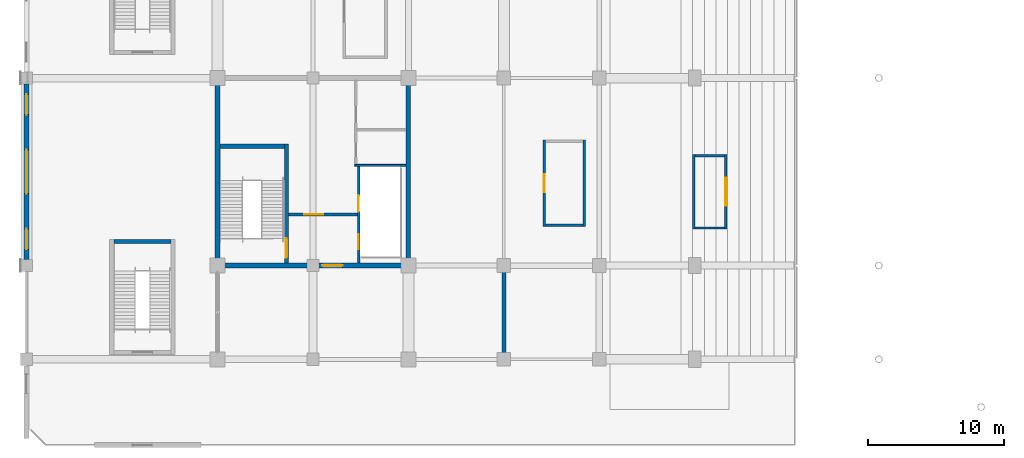
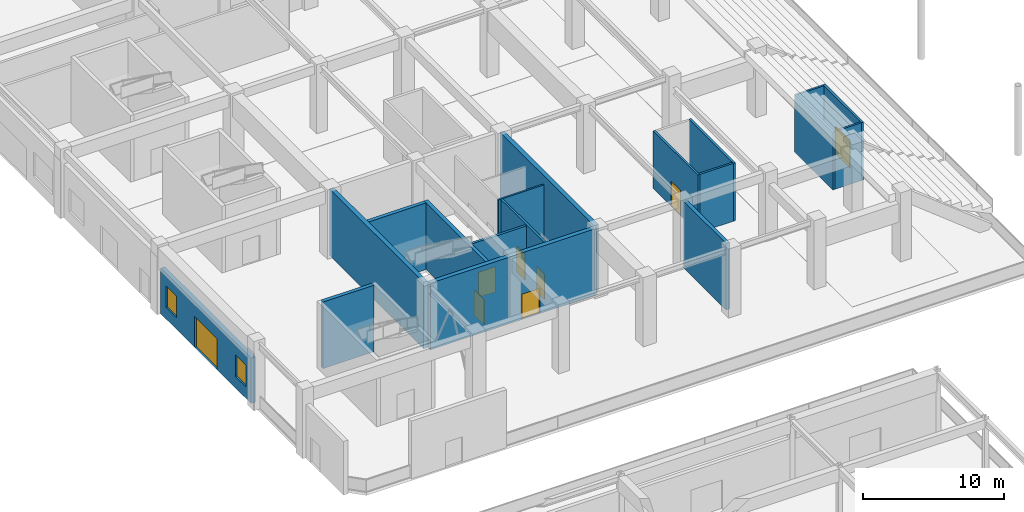
# One storey, part 38 of 73: 18 walls, 8 doors, 2 windows, 10 openings.
"""IFC4 building model written with IfcOpenShell, lengths in metres."""

import ifcopenshell
import ifcopenshell.guid

model = None  # the IFC model being written
_history = None  # IfcOwnerHistory: only IFC2X3 demands one
_inside = {}  # id of a spatial element -> (the spatial element, [elements in it])
_under = {}  # id of a project, library or spatial element -> (it, [spatial elements below it])
_declared = {}  # id of a project -> (the project, [libraries it declares])
_typed = {}  # id of a type object -> (the type object, [elements of that type])
_made_of = {}  # id of a material, layer set ... -> (it, [elements and type objects made of it])


def new_model(schema):
    """Start an empty IFC model of exactly this schema.

    Asked for "IFC4X3", IfcOpenShell would pick the latest addendum, in which some entities
    have other attributes; the version numbers below select the first issue.
    IFC2X3 requires an IfcOwnerHistory on every rooted entity: one is made here for all.
    """
    global model, _history
    if schema == "IFC4X3":
        model = ifcopenshell.file(schema_version=(4, 3, 0, 0))
    else:
        model = ifcopenshell.file(schema=schema)
    _inside.clear()
    _under.clear()
    _declared.clear()
    _typed.clear()
    _made_of.clear()
    _history = None
    if model.schema == "IFC2X3":
        org = make("IfcOrganization", Name="unknown")
        user = make(
            "IfcPersonAndOrganization",
            ThePerson=make("IfcPerson", FamilyName="unknown"),
            TheOrganization=org,
        )
        app = make(
            "IfcApplication",
            ApplicationDeveloper=org,
            Version="unknown",
            ApplicationFullName="unknown",
            ApplicationIdentifier="unknown",
        )
        _history = make(
            "IfcOwnerHistory",
            OwningUser=user,
            OwningApplication=app,
            ChangeAction="ADDED",
            CreationDate=0,
        )
    return model


def make(cls, **values):
    """One entity of the class cls with the attributes given. An attribute that is None is left unset."""
    return model.create_entity(
        cls, **{name: value for name, value in values.items() if value is not None}
    )


def rooted(cls, **values):
    """An entity with a GlobalId (a new one), such as an element, a storey or a relation."""
    return make(cls, GlobalId=ifcopenshell.guid.new(), OwnerHistory=_history, **values)


def si_unit(unit_type, name, prefix=None):
    """IfcSIUnit, for example si_unit("LENGTHUNIT", "METRE", prefix="MILLI")."""
    return make("IfcSIUnit", UnitType=unit_type, Prefix=prefix, Name=name)


def assignment(units):
    """IfcUnitAssignment: the units of a project."""
    return None if units is None else make("IfcUnitAssignment", Units=units)


def point(xyz):
    """IfcCartesianPoint."""
    return None if xyz is None else make("IfcCartesianPoint", Coordinates=xyz)


def direction(xyz):
    """IfcDirection."""
    return None if xyz is None else make("IfcDirection", DirectionRatios=xyz)


def frame(location, z_axis=None, x_axis=None):
    """IfcAxis2Placement3D, a coordinate frame: its origin and axes. An axis left out is left unset."""
    return make(
        "IfcAxis2Placement3D",
        Location=point(location),
        Axis=direction(z_axis),
        RefDirection=direction(x_axis),
    )


def frame_2d(location, x_axis=None):
    """IfcAxis2Placement2D, a coordinate frame in the plane: its origin and x axis."""
    return make(
        "IfcAxis2Placement2D", Location=point(location), RefDirection=direction(x_axis)
    )


def origin():
    """The frame at (0, 0, 0) with its axes left unset."""
    return frame((0.0, 0.0, 0.0))


def place(relative_to, where):
    """IfcLocalPlacement: puts the frame where relative to a parent placement (None: the world)."""
    return make(
        "IfcLocalPlacement", PlacementRelTo=relative_to, RelativePlacement=where
    )


def context(
    kind, dimensions, precision=None, world=None, true_north=None, identifier=None
):
    """IfcGeometricRepresentationContext, for example the 3D "Model" context."""
    return make(
        "IfcGeometricRepresentationContext",
        ContextIdentifier=identifier,
        ContextType=kind,
        CoordinateSpaceDimension=dimensions,
        Precision=precision,
        WorldCoordinateSystem=world,
        TrueNorth=true_north,
    )


def subcontext(parent, identifier, kind, view, scale=None):
    """IfcGeometricRepresentationSubContext, for example "Body" below "Model"."""
    return make(
        "IfcGeometricRepresentationSubContext",
        ContextIdentifier=identifier,
        ContextType=kind,
        ParentContext=parent,
        TargetScale=scale,
        TargetView=view,
    )


def project(units=None, contexts=None):
    """IfcProject with its units and contexts."""
    return rooted(
        "IfcProject",
        Name="project",
        RepresentationContexts=contexts,
        UnitsInContext=assignment(units),
    )


def spatial(cls, under=None, at=None, **own):
    """A site, building, storey or space (cls), placed at a placement, below another one or the project."""
    s = rooted(cls, ObjectPlacement=at, **own)
    if under is not None:
        _under.setdefault(under.id(), (under, []))[1].append(s)
    return s


def profile(cls, at=None, kind="AREA", **sizes):
    """A parametric profile (cls). Its sizes go by their IFC names, for example OverallWidth=200.0."""
    return make(cls, ProfileType=kind, Position=at, **sizes)


def rectangle(**sizes):
    """IfcRectangleProfileDef."""
    return profile("IfcRectangleProfileDef", **sizes)


def extrude(swept, where, along, depth):
    """IfcExtrudedAreaSolid: the profile swept, set in the frame where, extruded along a direction by depth."""
    return make(
        "IfcExtrudedAreaSolid",
        SweptArea=swept,
        Position=where,
        ExtrudedDirection=direction(along),
        Depth=depth,
    )


def shape(context_of_items, identifier, shape_type, items):
    """IfcShapeRepresentation: the items that make up one representation, for example the "Body"."""
    return make(
        "IfcShapeRepresentation",
        ContextOfItems=context_of_items,
        RepresentationIdentifier=identifier,
        RepresentationType=shape_type,
        Items=items,
    )


def material(Name=None, Category=None):
    """IfcMaterial."""
    return make("IfcMaterial", Name=Name, Category=Category)


def layer(
    of_material, thickness, ventilated=None, Name=None, Category=None, Priority=None
):
    """IfcMaterialLayer: one layer of a wall or slab, of a material (None: an air gap)."""
    return make(
        "IfcMaterialLayer",
        Material=of_material,
        LayerThickness=thickness,
        IsVentilated=ventilated,
        Name=Name,
        Category=Category,
        Priority=Priority,
    )


def layer_set(layers, Name=None):
    """IfcMaterialLayerSet."""
    return make("IfcMaterialLayerSet", MaterialLayers=layers, LayerSetName=Name)


def made_of(thing, what):
    """Note that an element or type object is made of a material, layer set ...; save() writes the relation."""
    if what is not None:
        _made_of.setdefault(what.id(), (what, []))[1].append(thing)
    return thing


def type_object(cls, material=None, **own):
    """A type object (cls), such as IfcWallType, which elements share."""
    return made_of(rooted(cls, **own), material)


def element(
    cls,
    number,
    at=None,
    inside=None,
    cuts=None,
    type_object=None,
    material=None,
    context=None,
    identifier="Body",
    shape_type=None,
    held_by="IfcProductDefinitionShape",
    body=None,
    shapes=None,
    **own,
):
    """One element of the class cls, such as IfcWall. Its Tag is "e" and its number.

    at: its placement. inside: the storey or other place that contains it. cuts: it is an
    opening in that element (IfcRelVoidsElement). A single representation is given by context,
    identifier, shape_type and body (its items); several are given by shapes. held_by: the class
    of the entity that holds the representations. save() writes the other relations.
    """
    e = rooted(cls, Tag="e%d" % number, ObjectPlacement=at, **own)
    if body is not None:
        shapes = [shape(context, identifier, shape_type, body)]
    if shapes is not None:
        e.Representation = make(held_by, Representations=shapes)
    if inside is not None:
        _inside.setdefault(inside.id(), (inside, []))[1].append(e)
    if cuts is not None:
        rooted(
            "IfcRelVoidsElement", RelatingBuildingElement=cuts, RelatedOpeningElement=e
        )
    if type_object is not None:
        _typed.setdefault(type_object.id(), (type_object, []))[1].append(e)
    return made_of(e, material)


def fill(opening, filler):
    """IfcRelFillsElement: the door or window that sits in an opening."""
    return rooted(
        "IfcRelFillsElement",
        RelatingOpeningElement=opening,
        RelatedBuildingElement=filler,
    )


def aggregate(whole, parts):
    """IfcRelAggregates: a whole, such as a stair, and the parts it consists of."""
    return rooted("IfcRelAggregates", RelatingObject=whole, RelatedObjects=parts)


def save(model, path):
    """Write the relations noted so far, then the file.

    IfcRelAggregates (storeys below a building ...), IfcRelContainedInSpatialStructure (elements
    in a storey), IfcRelDefinesByType, IfcRelAssociatesMaterial and IfcRelDeclares: one each for
    every whole, place, type object, material and project.
    """
    for whole, parts in _under.values():
        aggregate(whole, parts)
    for where, things in _inside.values():
        rooted(
            "IfcRelContainedInSpatialStructure",
            RelatedElements=things,
            RelatingStructure=where,
        )
    for kind, things in _typed.values():
        rooted("IfcRelDefinesByType", RelatedObjects=things, RelatingType=kind)
    for what, things in _made_of.values():
        rooted("IfcRelAssociatesMaterial", RelatedObjects=things, RelatingMaterial=what)
    for by, libraries in _declared.values():
        rooted("IfcRelDeclares", RelatingContext=by, RelatedDefinitions=libraries)
    model.write(path)


model = new_model("IFC4")

# Units and contexts
model_context = context("Model", 3, precision=1e-05, world=origin(), true_north=direction((0.0, 1.0)))
body_context = subcontext(model_context, "Body", "Model", "MODEL_VIEW")
ifc_project = project(units=[si_unit("LENGTHUNIT", "METRE"), si_unit("AREAUNIT", "SQUARE_METRE"), si_unit("VOLUMEUNIT", "CUBIC_METRE"), si_unit("PLANEANGLEUNIT", "RADIAN"), si_unit("MASSUNIT", "GRAM", prefix="KILO")], contexts=[model_context])

# Site, building, storey
site_placement = place(None, origin())
site = spatial("IfcSite", under=ifc_project, at=site_placement, CompositionType="ELEMENT")
building_placement = place(site_placement, origin())
building = spatial("IfcBuilding", under=site, at=building_placement, Name="Linyun Crest Stadium", CompositionType="ELEMENT")
storey_placement = place(building_placement, origin())
storey = spatial("IfcBuildingStorey", under=building, at=storey_placement, Name="L01", CompositionType="ELEMENT", Elevation=0.0)

# Walls
ifc_material_1 = material(Name="Concrete C50", Category="concrete")
ifc_layer_1 = layer(ifc_material_1, 0.35009765625)
ifc_layer_set_1 = layer_set([ifc_layer_1], Name="Concrete C50")
wall_type_1 = type_object("IfcWallType", Name="CW01", PredefinedType="SHEAR", material=ifc_layer_set_1)
for number, where, z_axis, x_axis, name in (
    (1, (-84.0, -38.949951171875, 0.0), (0.0, 0.0, 1.0), (0.0, 1.0, 0.0), "Core shear wall CW01 CORE-W1 L01.1"),
    (2, (-70.0, -38.949951171875, 0.0), (0.0, 0.0, 1.0), (0.0, 1.0, 0.0), "Core shear wall CW01 CORE-W1 L01.2"),
):
    element("IfcWall", number, at=place(storey_placement, frame(where, z_axis=z_axis, x_axis=x_axis)), inside=storey, type_object=wall_type_1, Name=name, PredefinedType="SHEAR", context=body_context, shape_type="SweptSolid", body=[
        extrude(rectangle(XDim=13.39990234375, YDim=0.35009765625, at=frame_2d((6.699951171875, 0.0))), origin(), (0.0, 0.0, 1.0), 5.780029296875),
    ])

# Wall, opening, door
wall_1_placement = place(storey_placement, frame((-83.824951171875, -39.125, 0.0), z_axis=(0.0, 0.0, 1.0), x_axis=(1.0, 0.0, 0.0)))
wall_1 = element("IfcWall", 3, at=wall_1_placement, inside=storey, type_object=wall_type_1, Name="Core shear wall CW01 CORE-W1 L01.3", PredefinedType="SHEAR", context=body_context, shape_type="SweptSolid", body=[
    extrude(rectangle(XDim=13.64990234375, YDim=0.35009765625, at=frame_2d((6.824951171875, 0.0))), origin(), (0.0, 0.0, 1.0), 5.780029296875),
])
opening_1_placement = place(wall_1_placement, frame((7.508056640625, 0.0, 0.0)))
opening_1 = element("IfcOpeningElement", 4, at=opening_1_placement, cuts=wall_1, Name="Opening D-L01-008", PredefinedType="OPENING", context=body_context, shape_type="SweptSolid", body=[
    extrude(rectangle(XDim=1.5, YDim=2.199951171875, at=frame_2d((0.75, 1.10009765625))), frame((0.0, 0.18505859375, 0.0), z_axis=(0.0, -1.0, 0.0), x_axis=(1.0, 0.0, 0.0)), (0.0, 0.0, 1.0), 0.3701171875),
])
ifc_material_2 = material(Name="Galvanized steel Class A fire door", Category="steel")
ifc_layer_2 = layer(ifc_material_2, 0.054931640625)
ifc_layer_set_2 = layer_set([ifc_layer_2], Name="Galvanized steel Class A fire door")
door_type_1 = type_object("IfcDoorType", Name="FD01", OperationType="NOTDEFINED", PredefinedType="DOOR", material=ifc_layer_set_2)
door_1_placement = place(opening_1_placement, origin())
door_1 = element("IfcDoor", 5, at=door_1_placement, inside=storey, type_object=door_type_1, Name="Door D-L01-008", OperationType="SINGLE_SWING_RIGHT", OverallHeight=2.199951171875, OverallWidth=1.5, PredefinedType="DOOR", context=body_context, shape_type="SweptSolid", body=[
    extrude(rectangle(XDim=1.5, YDim=2.199951171875, at=frame_2d((0.75, 1.10009765625))), frame((0.0, 0.02490234375, 0.0), z_axis=(0.0, -1.0, 0.0), x_axis=(1.0, 0.0, 0.0)), (0.0, 0.0, 1.0), 0.050048828125),
])
fill(opening_1, door_1)

# Wall, openings, door, windows
ifc_material_3 = material(Name="Precast concrete C40 architectural plinth panel", Category="concrete")
ifc_layer_3 = layer(ifc_material_3, 0.360107421875)
ifc_layer_set_3 = layer_set([ifc_layer_3], Name="Precast concrete C40 architectural plinth panel")
wall_type_2 = type_object("IfcWallType", Name="EW06", PredefinedType="SOLIDWALL", material=ifc_layer_set_3)
wall_2_placement = place(storey_placement, frame((-98.0, -38.68505859375, 0.0), z_axis=(0.0, 0.0, 1.0), x_axis=(0.0, 1.0, 0.0)))
wall_2 = element("IfcWall", 6, at=wall_2_placement, inside=storey, type_object=wall_type_2, Name="Exterior wall EW06 L01 2", PredefinedType="SOLIDWALL", context=body_context, shape_type="SweptSolid", body=[
    extrude(rectangle(XDim=12.8701171875, YDim=0.360107421875, at=frame_2d((6.43505859375, 0.0))), origin(), (0.0, 0.0, 1.0), 3.955078125),
])
opening_2_placement = place(wall_2_placement, frame((4.8349609375, 0.0, 0.0)))
opening_2 = element("IfcOpeningElement", 7, at=opening_2_placement, cuts=wall_2, Name="Opening E01", PredefinedType="OPENING", context=body_context, shape_type="SweptSolid", body=[
    extrude(rectangle(XDim=3.199951171875, YDim=2.699951171875, at=frame_2d((1.60009765625, 1.35009765625))), frame((0.0, 0.18994140625, 0.0), z_axis=(0.0, -1.0, 0.0), x_axis=(1.0, 0.0, 0.0)), (0.0, 0.0, 1.0), 0.380126953125),
])
opening_3_placement = place(wall_2_placement, frame((0.75, 0.0, 1.0)))
opening_3 = element("IfcOpeningElement", 8, at=opening_3_placement, cuts=wall_2, Name="Opening WN01", PredefinedType="OPENING", context=body_context, shape_type="SweptSolid", body=[
    extrude(rectangle(XDim=1.5, YDim=1.89990234375, at=frame_2d((0.75, 0.949951171875))), frame((0.0, 0.18994140625, 0.0), z_axis=(0.0, -1.0, 0.0), x_axis=(1.0, 0.0, 0.0)), (0.0, 0.0, 1.0), 0.380126953125),
])
opening_4_placement = place(wall_2_placement, frame((10.6201171875, 0.0, 1.0)))
opening_4 = element("IfcOpeningElement", 9, at=opening_4_placement, cuts=wall_2, Name="Opening WN01", PredefinedType="OPENING", context=body_context, shape_type="SweptSolid", body=[
    extrude(rectangle(XDim=1.5, YDim=1.89990234375, at=frame_2d((0.75, 0.949951171875))), frame((0.0, 0.18994140625, 0.0), z_axis=(0.0, -1.0, 0.0), x_axis=(1.0, 0.0, 0.0)), (0.0, 0.0, 1.0), 0.380126953125),
])
ifc_material_4 = material(Name="Verdigris painted steel and laminated glass", Category="steel")
ifc_layer_4 = layer(ifc_material_4, 0.06005859375)
ifc_layer_set_4 = layer_set([ifc_layer_4], Name="Verdigris painted steel and laminated glass")
door_type_2 = type_object("IfcDoorType", Name="ED01", OperationType="NOTDEFINED", PredefinedType="DOOR", material=ifc_layer_set_4)
door_2_placement = place(opening_2_placement, origin())
door_2 = element("IfcDoor", 10, at=door_2_placement, inside=storey, type_object=door_type_2, Name="Main entrance E01", OperationType="DOUBLE_DOOR_SINGLE_SWING", OverallHeight=2.699951171875, OverallWidth=3.199951171875, PredefinedType="DOOR", context=body_context, shape_type="SweptSolid", body=[
    extrude(rectangle(XDim=3.199951171875, YDim=2.699951171875, at=frame_2d((1.60009765625, 1.35009765625))), frame((0.0, 0.02490234375, 0.0), z_axis=(0.0, -1.0, 0.0), x_axis=(1.0, 0.0, 0.0)), (0.0, 0.0, 1.0), 0.050048828125),
])
fill(opening_2, door_2)
ifc_material_5 = material(Name="Aluminium frame with double low-E glazing", Category="aluminium")
ifc_layer_5 = layer(ifc_material_5, 0.06005859375)
ifc_layer_set_5 = layer_set([ifc_layer_5], Name="Aluminium frame with double low-E glazing")
window_type = type_object("IfcWindowType", Name="WN01", PartitioningType="SINGLE_PANEL", PredefinedType="WINDOW", material=ifc_layer_set_5)
window_1_placement = place(opening_3_placement, origin())
window_1 = element("IfcWindow", 11, at=window_1_placement, inside=storey, type_object=window_type, Name="Window WN01 L01 2", OverallHeight=1.89990234375, OverallWidth=1.5, PartitioningType="SINGLE_PANEL", PredefinedType="WINDOW", context=body_context, shape_type="SweptSolid", body=[
    extrude(rectangle(XDim=1.5, YDim=1.89990234375, at=frame_2d((0.75, 0.949951171875))), frame((0.0, 0.030029296875, 0.0), z_axis=(0.0, -1.0, 0.0), x_axis=(1.0, 0.0, 0.0)), (0.0, 0.0, 1.0), 0.06005859375),
])
fill(opening_3, window_1)
window_2_placement = place(opening_4_placement, origin())
window_2 = element("IfcWindow", 12, at=window_2_placement, inside=storey, type_object=window_type, Name="Window WN01 L01 3", OverallHeight=1.89990234375, OverallWidth=1.5, PartitioningType="SINGLE_PANEL", PredefinedType="WINDOW", context=body_context, shape_type="SweptSolid", body=[
    extrude(rectangle(XDim=1.5, YDim=1.89990234375, at=frame_2d((0.75, 0.949951171875))), frame((0.0, 0.030029296875, 0.0), z_axis=(0.0, -1.0, 0.0), x_axis=(1.0, 0.0, 0.0)), (0.0, 0.0, 1.0), 0.06005859375),
])
fill(opening_4, window_2)

# Wall, opening, door
ifc_material_6 = material(Name="Autoclaved aerated concrete block with fireboard", Category="concrete")
ifc_layer_6 = layer(ifc_material_6, 0.199951171875)
ifc_layer_set_6 = layer_set([ifc_layer_6], Name="Autoclaved aerated concrete block with fireboard")
wall_type_3 = type_object("IfcWallType", Name="PW11", PredefinedType="PARTITIONING", material=ifc_layer_set_6)
wall_3_placement = place(storey_placement, frame((-78.800048828125, -35.375, 0.0), z_axis=(0.0, 0.0, 1.0), x_axis=(1.0, 0.0, 0.0)))
wall_3 = element("IfcWall", 13, at=wall_3_placement, inside=storey, type_object=wall_type_3, Name="Partition PW11 L01 4", PredefinedType="PARTITIONING", context=body_context, shape_type="SweptSolid", body=[
    extrude(rectangle(XDim=5.06005859375, YDim=0.199951171875, at=frame_2d((2.530029296875, 0.0))), origin(), (0.0, 0.0, 1.0), 4.905029296875),
])
opening_5_placement = place(wall_3_placement, frame((1.169921875, 0.0, 0.0)))
opening_5 = element("IfcOpeningElement", 14, at=opening_5_placement, cuts=wall_3, Name="Opening D-L01-010", PredefinedType="OPENING", context=body_context, shape_type="SweptSolid", body=[
    extrude(rectangle(XDim=1.39990234375, YDim=2.199951171875, at=frame_2d((0.699951171875, 1.10009765625))), frame((0.0, 0.10986328125, 0.0), z_axis=(0.0, -1.0, 0.0), x_axis=(1.0, 0.0, 0.0)), (0.0, 0.0, 1.0), 0.219970703125),
])
ifc_material_7 = material(Name="Galvanized steel Class B fire door", Category="steel")
ifc_layer_7 = layer(ifc_material_7, 0.054931640625)
ifc_layer_set_7 = layer_set([ifc_layer_7], Name="Galvanized steel Class B fire door")
door_type_3 = type_object("IfcDoorType", Name="FD03", OperationType="NOTDEFINED", PredefinedType="DOOR", material=ifc_layer_set_7)
door_3_placement = place(opening_5_placement, origin())
door_3 = element("IfcDoor", 15, at=door_3_placement, inside=storey, type_object=door_type_3, Name="Door D-L01-010", OperationType="SINGLE_SWING_RIGHT", OverallHeight=2.199951171875, OverallWidth=1.39990234375, PredefinedType="DOOR", context=body_context, shape_type="SweptSolid", body=[
    extrude(rectangle(XDim=1.39990234375, YDim=2.199951171875, at=frame_2d((0.699951171875, 1.10009765625))), frame((0.0, 0.02490234375, 0.0), z_axis=(0.0, -1.0, 0.0), x_axis=(1.0, 0.0, 0.0)), (0.0, 0.0, 1.0), 0.050048828125),
])
fill(opening_5, door_3)

# Wall, openings, doors
ifc_material_8 = material(Name="Autoclaved aerated concrete block fire partition", Category="concrete")
ifc_layer_8 = layer(ifc_material_8, 0.179931640625)
ifc_layer_set_8 = layer_set([ifc_layer_8], Name="Autoclaved aerated concrete block fire partition")
wall_type_4 = type_object("IfcWallType", Name="PW12", PredefinedType="PARTITIONING", material=ifc_layer_set_8)
wall_4_placement = place(storey_placement, frame((-73.64990234375, -38.949951171875, 0.0), z_axis=(0.0, 0.0, 1.0), x_axis=(0.0, 1.0, 0.0)))
wall_4 = element("IfcWall", 16, at=wall_4_placement, inside=storey, type_object=wall_type_4, Name="Partition PW12 L01 5", PredefinedType="PARTITIONING", context=body_context, shape_type="SweptSolid", body=[
    extrude(rectangle(XDim=7.10498046875, YDim=0.179931640625, at=frame_2d((3.552490234375, 0.0))), origin(), (0.0, 0.0, 1.0), 5.02001953125),
])
opening_6_placement = place(wall_4_placement, frame((1.02490234375, 0.0, 0.0)))
opening_6 = element("IfcOpeningElement", 17, at=opening_6_placement, cuts=wall_4, Name="Opening LD003", PredefinedType="OPENING", context=body_context, shape_type="SweptSolid", body=[
    extrude(rectangle(XDim=1.10009765625, YDim=2.199951171875, at=frame_2d((0.550048828125, 1.10009765625))), frame((0.0, 0.099853515625, 0.0), z_axis=(0.0, -1.0, 0.0), x_axis=(1.0, 0.0, 0.0)), (0.0, 0.0, 1.0), 0.199951171875),
])
opening_7_placement = place(wall_4_placement, frame((3.77490234375, 0.0, 0.0)))
opening_7 = element("IfcOpeningElement", 18, at=opening_7_placement, cuts=wall_4, Name="Opening LD004", PredefinedType="OPENING", context=body_context, shape_type="SweptSolid", body=[
    extrude(rectangle(XDim=1.199951171875, YDim=2.25, at=frame_2d((0.60009765625, 1.125))), frame((0.0, 0.099853515625, 0.0), z_axis=(0.0, -1.0, 0.0), x_axis=(1.0, 0.0, 0.0)), (0.0, 0.0, 1.0), 0.199951171875),
])
ifc_material_9 = material(Name="Brushed stainless sliding lift door")
ifc_layer_9 = layer(ifc_material_9, 0.050048828125)
ifc_layer_set_9 = layer_set([ifc_layer_9], Name="Brushed stainless sliding lift door")
door_type_4 = type_object("IfcDoorType", Name="LD01", OperationType="NOTDEFINED", PredefinedType="DOOR", material=ifc_layer_set_9)
door_4_placement = place(opening_6_placement, origin())
door_4 = element("IfcDoor", 19, at=door_4_placement, inside=storey, type_object=door_type_4, Name="Lift landing door LD003", OperationType="DOUBLE_DOOR_SLIDING", OverallHeight=2.199951171875, OverallWidth=1.10009765625, PredefinedType="DOOR", context=body_context, shape_type="SweptSolid", body=[
    extrude(rectangle(XDim=1.10009765625, YDim=2.199951171875, at=frame_2d((0.550048828125, 1.10009765625))), frame((0.0, 0.02490234375, 0.0), z_axis=(0.0, -1.0, 0.0), x_axis=(1.0, 0.0, 0.0)), (0.0, 0.0, 1.0), 0.050048828125),
])
fill(opening_6, door_4)
ifc_material_10 = material(Name="Brushed stainless sliding lift door")
ifc_layer_10 = layer(ifc_material_10, 0.050048828125)
ifc_layer_set_10 = layer_set([ifc_layer_10], Name="Brushed stainless sliding lift door")
door_type_5 = type_object("IfcDoorType", Name="LD02", OperationType="NOTDEFINED", PredefinedType="DOOR", material=ifc_layer_set_10)
door_5_placement = place(opening_7_placement, origin())
door_5 = element("IfcDoor", 20, at=door_5_placement, inside=storey, type_object=door_type_5, Name="Lift landing door LD004", OperationType="DOUBLE_DOOR_SLIDING", OverallHeight=2.25, OverallWidth=1.199951171875, PredefinedType="DOOR", context=body_context, shape_type="SweptSolid", body=[
    extrude(rectangle(XDim=1.199951171875, YDim=2.25, at=frame_2d((0.60009765625, 1.125))), frame((0.0, 0.02490234375, 0.0), z_axis=(0.0, -1.0, 0.0), x_axis=(1.0, 0.0, 0.0)), (0.0, 0.0, 1.0), 0.050048828125),
])
fill(opening_7, door_5)

# Wall, opening, door
ifc_material_11 = material(Name="Double steel-stud acoustic fire partition", Category="steel")
ifc_layer_11 = layer(ifc_material_11, 0.1650390625)
ifc_layer_set_11 = layer_set([ifc_layer_11], Name="Double steel-stud acoustic fire partition")
wall_type_5 = type_object("IfcWallType", Name="PW13", PredefinedType="PARTITIONING", material=ifc_layer_set_11)
wall_5_placement = place(storey_placement, frame((-46.718994140625, -30.985107421875, 0.0), z_axis=(0.0, 0.0, 1.0), x_axis=(0.0, -1.0, 0.0)))
wall_5 = element("IfcWall", 21, at=wall_5_placement, inside=storey, type_object=wall_type_5, Name="Partition PW13 L01 263", PredefinedType="PARTITIONING", context=body_context, shape_type="SweptSolid", body=[
    extrude(rectangle(XDim=5.469970703125, YDim=0.1650390625, at=frame_2d((2.73486328125, 0.0))), origin(), (0.0, 0.0, 1.0), 5.02001953125),
])
opening_8_placement = place(wall_5_placement, frame((1.7099609375, 0.0, 0.0)))
opening_8 = element("IfcOpeningElement", 22, at=opening_8_placement, cuts=wall_5, Name="Opening D-L01-526", PredefinedType="OPENING", context=body_context, shape_type="SweptSolid", body=[
    extrude(rectangle(XDim=2.050048828125, YDim=2.39990234375, at=frame_2d((1.02490234375, 1.199951171875))), frame((0.0, 0.092529296875, 0.0), z_axis=(0.0, -1.0, 0.0), x_axis=(1.0, 0.0, 0.0)), (0.0, 0.0, 1.0), 0.18505859375),
])
ifc_material_12 = material(Name="Double-leaf glazed aluminium door", Category="aluminium")
ifc_layer_12 = layer(ifc_material_12, 0.054931640625)
ifc_layer_set_12 = layer_set([ifc_layer_12], Name="Double-leaf glazed aluminium door")
door_type_6 = type_object("IfcDoorType", Name="ID07", OperationType="NOTDEFINED", PredefinedType="DOOR", material=ifc_layer_set_12)
door_6_placement = place(opening_8_placement, origin())
door_6 = element("IfcDoor", 23, at=door_6_placement, inside=storey, type_object=door_type_6, Name="Door D-L01-526", OperationType="DOUBLE_DOOR_SINGLE_SWING", OverallHeight=2.39990234375, OverallWidth=2.050048828125, PredefinedType="DOOR", context=body_context, shape_type="SweptSolid", body=[
    extrude(rectangle(XDim=2.050048828125, YDim=2.39990234375, at=frame_2d((1.02490234375, 1.199951171875))), frame((0.0, 0.02490234375, 0.0), z_axis=(0.0, -1.0, 0.0), x_axis=(1.0, 0.0, 0.0)), (0.0, 0.0, 1.0), 0.050048828125),
])
fill(opening_8, door_6)

# Walls
wall_6_placement = place(storey_placement, frame((-49.069091796875, -36.455078125, 0.0), z_axis=(0.0, 0.0, 1.0), x_axis=(0.0, 1.0, 0.0)))
element("IfcWall", 24, at=wall_6_placement, inside=storey, type_object=wall_type_5, Name="Enclosure partition PW13 L01 505", PredefinedType="PARTITIONING", context=body_context, shape_type="SweptSolid", body=[
    extrude(rectangle(XDim=5.469970703125, YDim=0.1650390625, at=frame_2d((2.73486328125, 0.0))), origin(), (0.0, 0.0, 1.0), 5.02001953125),
])
for number, where, z_axis, x_axis, name in (
    (25, (-48.986083984375, -36.3720703125, 0.0), (0.0, 0.0, 1.0), (1.0, 0.0, 0.0), "Enclosure partition PW13 L01 506"),
    (26, (-48.986083984375, -31.068115234375, 0.0), (0.0, 0.0, 1.0), (1.0, 0.0, 0.0), "Enclosure partition PW13 L01 507"),
):
    element("IfcWall", number, at=place(storey_placement, frame(where, z_axis=z_axis, x_axis=x_axis)), inside=storey, type_object=wall_type_5, Name=name, PredefinedType="PARTITIONING", context=body_context, shape_type="SweptSolid", body=[
        extrude(rectangle(XDim=2.18408203125, YDim=0.1650390625, at=frame_2d((1.092041015625, 0.0))), origin(), (0.0, 0.0, 1.0), 5.02001953125),
    ])
ifc_material_13 = material(Name="Moisture-resistant ceramic-tiled wet-room wall")
ifc_layer_13 = layer(ifc_material_13, 0.139892578125)
ifc_layer_set_13 = layer_set([ifc_layer_13], Name="Moisture-resistant ceramic-tiled wet-room wall")
wall_type_6 = type_object("IfcWallType", Name="PW15", PredefinedType="PARTITIONING", material=ifc_layer_set_13)
wall_7_placement = place(storey_placement, frame((-73.919921875, -31.77490234375, 0.0), z_axis=(0.0, 0.0, 1.0), x_axis=(1.0, 0.0, 0.0)))
element("IfcWall", 27, at=wall_7_placement, inside=storey, type_object=wall_type_6, Name="Enclosure partition PW15 L01 3", PredefinedType="PARTITIONING", context=body_context, shape_type="SweptSolid", body=[
    extrude(rectangle(XDim=3.744873046875, YDim=0.139892578125, at=frame_2d((1.87255859375, 0.0))), origin(), (0.0, 0.0, 1.0), 5.02001953125),
])

# Wall, opening, door
ifc_material_14 = material(Name="Concourse concession fire-rated masonry wall", Category="masonry")
ifc_layer_14 = layer(ifc_material_14, 0.175048828125)
ifc_layer_set_14 = layer_set([ifc_layer_14], Name="Concourse concession fire-rated masonry wall")
wall_type_7 = type_object("IfcWallType", Name="PW24", PredefinedType="PARTITIONING", material=ifc_layer_set_14)
wall_8_placement = place(storey_placement, frame((-60.028076171875, -36.258056640625, 0.0), z_axis=(0.0, 0.0, 1.0), x_axis=(0.0, 1.0, 0.0)))
wall_8 = element("IfcWall", 28, at=wall_8_placement, inside=storey, type_object=wall_type_7, Name="Partition PW24 L01 161", PredefinedType="PARTITIONING", context=body_context, shape_type="SweptSolid", body=[
    extrude(rectangle(XDim=6.340087890625, YDim=0.175048828125, at=frame_2d((3.169921875, 0.0))), origin(), (0.0, 0.0, 1.0), 5.02001953125),
])
opening_9_placement = place(wall_8_placement, frame((2.4951171875, 0.0, 0.0)))
opening_9 = element("IfcOpeningElement", 29, at=opening_9_placement, cuts=wall_8, Name="Opening D-L01-424", PredefinedType="OPENING", context=body_context, shape_type="SweptSolid", body=[
    extrude(rectangle(XDim=1.35009765625, YDim=2.199951171875, at=frame_2d((0.675048828125, 1.10009765625))), frame((0.0, 0.097412109375, 0.0), z_axis=(0.0, -1.0, 0.0), x_axis=(1.0, 0.0, 0.0)), (0.0, 0.0, 1.0), 0.195068359375),
])
ifc_material_15 = material(Name="Wide hospital-grade hygienic door")
ifc_layer_15 = layer(ifc_material_15, 0.050048828125)
ifc_layer_set_15 = layer_set([ifc_layer_15], Name="Wide hospital-grade hygienic door")
door_type_7 = type_object("IfcDoorType", Name="ID12", OperationType="NOTDEFINED", PredefinedType="DOOR", material=ifc_layer_set_15)
door_7_placement = place(opening_9_placement, origin())
door_7 = element("IfcDoor", 30, at=door_7_placement, inside=storey, type_object=door_type_7, Name="Door D-L01-424", OperationType="SINGLE_SWING_RIGHT", OverallHeight=2.199951171875, OverallWidth=1.35009765625, PredefinedType="DOOR", context=body_context, shape_type="SweptSolid", body=[
    extrude(rectangle(XDim=1.35009765625, YDim=2.199951171875, at=frame_2d((0.675048828125, 1.10009765625))), frame((0.0, 0.02490234375, 0.0), z_axis=(0.0, -1.0, 0.0), x_axis=(1.0, 0.0, 0.0)), (0.0, 0.0, 1.0), 0.050048828125),
])
fill(opening_9, door_7)

# Walls
wall_9_placement = place(storey_placement, frame((-57.10791015625, -36.258056640625, 0.0), z_axis=(0.0, 0.0, 1.0), x_axis=(0.0, 1.0, 0.0)))
element("IfcWall", 31, at=wall_9_placement, inside=storey, type_object=wall_type_7, Name="Enclosure partition PW24 L01 199", PredefinedType="PARTITIONING", context=body_context, shape_type="SweptSolid", body=[
    extrude(rectangle(XDim=6.340087890625, YDim=0.175048828125, at=frame_2d((3.169921875, 0.0))), origin(), (0.0, 0.0, 1.0), 5.02001953125),
])
wall_10_placement = place(storey_placement, frame((-59.93994140625, -36.169921875, 0.0), z_axis=(0.0, 0.0, 1.0), x_axis=(1.0, 0.0, 0.0)))
element("IfcWall", 32, at=wall_10_placement, inside=storey, type_object=wall_type_7, Name="Enclosure partition PW24 L01 200", PredefinedType="PARTITIONING", context=body_context, shape_type="SweptSolid", body=[
    extrude(rectangle(XDim=2.743896484375, YDim=0.175048828125, at=frame_2d((1.3720703125, 0.0))), origin(), (0.0, 0.0, 1.0), 5.02001953125),
])
ifc_material_16 = material(Name="Concrete C50", Category="concrete")
ifc_layer_16 = layer(ifc_material_16, 0.300048828125)
ifc_layer_set_16 = layer_set([ifc_layer_16], Name="Concrete C50")
wall_type_8 = type_object("IfcWallType", Name="SW01", PredefinedType="SHEAR", material=ifc_layer_set_16)
wall_11_placement = place(storey_placement, frame((-63.0, -45.550048828125, 0.0), z_axis=(0.0, 0.0, 1.0), x_axis=(0.0, 1.0, 0.0)))
element("IfcWall", 33, at=wall_11_placement, inside=storey, type_object=wall_type_8, Name="Shear wall SW01 L01 302", PredefinedType="SHEAR", context=body_context, shape_type="SweptSolid", body=[
    extrude(rectangle(XDim=6.050048828125, YDim=0.300048828125, at=frame_2d((3.02490234375, 0.0))), origin(), (0.0, 0.0, 1.0), 5.780029296875),
])

# Wall, opening, door
wall_12_placement = place(storey_placement, frame((-78.949951171875, -38.949951171875, 0.0), z_axis=(0.0, 0.0, 1.0), x_axis=(0.0, 1.0, 0.0)))
wall_12 = element("IfcWall", 34, at=wall_12_placement, inside=storey, type_object=wall_type_8, Name="Core stair east bearing wall SW01 1 L01", PredefinedType="SHEAR", context=body_context, shape_type="SweptSolid", body=[
    extrude(rectangle(XDim=8.724853515625, YDim=0.300048828125, at=frame_2d((4.3623046875, 0.0))), origin(), (0.0, 0.0, 1.0), 5.780029296875),
])
opening_10_placement = place(wall_12_placement, frame((0.39501953125, 0.0, 0.0)))
opening_10 = element("IfcOpeningElement", 35, at=opening_10_placement, cuts=wall_12, Name="Opening D-L01-009", PredefinedType="OPENING", context=body_context, shape_type="SweptSolid", body=[
    extrude(rectangle(XDim=1.449951171875, YDim=2.199951171875, at=frame_2d((0.72509765625, 1.10009765625))), frame((0.0, 0.159912109375, 0.0), z_axis=(0.0, -1.0, 0.0), x_axis=(1.0, 0.0, 0.0)), (0.0, 0.0, 1.0), 0.320068359375),
])
ifc_material_17 = material(Name="Galvanized steel Class A fire door", Category="steel")
ifc_layer_17 = layer(ifc_material_17, 0.054931640625)
ifc_layer_set_17 = layer_set([ifc_layer_17], Name="Galvanized steel Class A fire door")
door_type_8 = type_object("IfcDoorType", Name="FD02", OperationType="NOTDEFINED", PredefinedType="DOOR", material=ifc_layer_set_17)
door_8_placement = place(opening_10_placement, origin())
door_8 = element("IfcDoor", 36, at=door_8_placement, inside=storey, type_object=door_type_8, Name="Door D-L01-009", OperationType="SINGLE_SWING_LEFT", OverallHeight=2.199951171875, OverallWidth=1.449951171875, PredefinedType="DOOR", context=body_context, shape_type="SweptSolid", body=[
    extrude(rectangle(XDim=1.449951171875, YDim=2.199951171875, at=frame_2d((0.72509765625, 1.10009765625))), frame((0.0, 0.02490234375, 0.0), z_axis=(0.0, -1.0, 0.0), x_axis=(1.0, 0.0, 0.0)), (0.0, 0.0, 1.0), 0.050048828125),
])
fill(opening_10, door_8)

# Walls
wall_13_placement = place(storey_placement, frame((-83.824951171875, -30.375, 0.0), z_axis=(0.0, 0.0, 1.0), x_axis=(1.0, 0.0, 0.0)))
element("IfcWall", 37, at=wall_13_placement, inside=storey, type_object=wall_type_8, Name="Core stair bearing wall SW01 1 L01", PredefinedType="SHEAR", context=body_context, shape_type="SweptSolid", body=[
    extrude(rectangle(XDim=4.724853515625, YDim=0.300048828125, at=frame_2d((2.3623046875, 0.0))), origin(), (0.0, 0.0, 1.0), 5.780029296875),
])
wall_14_placement = place(storey_placement, frame((-91.60009765625, -37.35009765625, 0.0), z_axis=(0.0, 0.0, 1.0), x_axis=(1.0, 0.0, 0.0)))
element("IfcWall", 38, at=wall_14_placement, inside=storey, type_object=wall_type_8, Name="Stair shaft wall SW01 STR-13 L01 N", PredefinedType="SHEAR", context=body_context, shape_type="SweptSolid", body=[
    extrude(rectangle(XDim=4.2001953125, YDim=0.300048828125, at=frame_2d((2.10009765625, 0.0))), origin(), (0.0, 0.0, 1.0), 5.780029296875),
])

save(model, "model.ifc")
